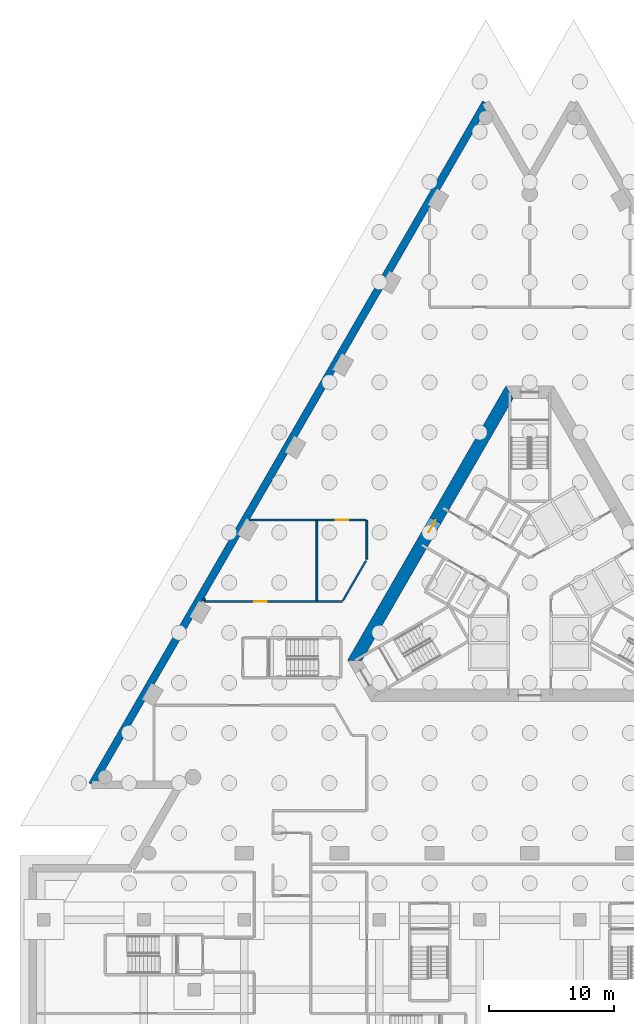
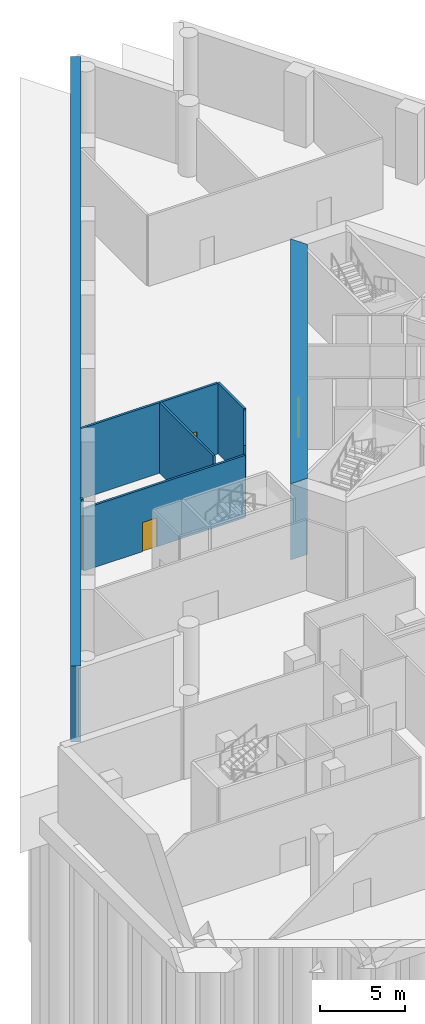
# One storey, part 6 of 20: 8 walls, 3 doors, 3 openings.
"""IFC4 building model written with IfcOpenShell, lengths in metres."""

from ifc_helpers import new_model, si_unit, direction, frame, frame_2d, origin, place, context, subcontext, project, spatial, polyline, rectangle, outline, extrude, material, layer, layer_set, type_object, element, fill, save


model = new_model("IFC4")

# Units and contexts
model_context = context("Model", 3, precision=1e-05, world=origin(), true_north=direction((0.0, 1.0)))
body_context = subcontext(model_context, "Body", "Model", "MODEL_VIEW")
ifc_project = project(units=[si_unit("LENGTHUNIT", "METRE"), si_unit("AREAUNIT", "SQUARE_METRE"), si_unit("VOLUMEUNIT", "CUBIC_METRE"), si_unit("PLANEANGLEUNIT", "RADIAN"), si_unit("MASSUNIT", "GRAM", prefix="KILO")], contexts=[model_context])

# Site, building, storey
site_placement = place(None, origin())
site = spatial("IfcSite", under=ifc_project, at=site_placement, CompositionType="ELEMENT")
building_placement = place(site_placement, origin())
building = spatial("IfcBuilding", under=site, at=building_placement, Name="Triada Interchange Tower", CompositionType="ELEMENT")
storey_placement = place(building_placement, frame((0.0, 0.0, -5.5)))
storey = spatial("IfcBuildingStorey", under=building, at=storey_placement, Name="B1", CompositionType="ELEMENT", Elevation=-5.5)

# Wall
ifc_material_1 = material(Name="Concrete C30/37", Category="concrete")
ifc_layer_1 = layer(ifc_material_1, 0.60009765625)
ifc_layer_set_1 = layer_set([ifc_layer_1], Name="Basement retaining wall 600")
wall_type_1 = type_object("IfcWallType", Name="Basement retaining wall 600", PredefinedType="SOLIDWALL", material=ifc_layer_set_1)
wall_1_placement = place(storey_placement, frame((-3.507080078125, 38.324951171875, -0.39990234375), z_axis=(0.0, 0.0, 1.0), x_axis=(-0.500003790369, -0.866023215403, 0.0)))
element("IfcWall", 1, at=wall_1_placement, inside=storey, type_object=wall_type_1, Name="Retaining wall 08", PredefinedType="SOLIDWALL", context=body_context, shape_type="SweptSolid", body=[
    extrude(rectangle(XDim=62.87353515625, YDim=0.60009765625, at=frame_2d((31.436767578125, 0.0))), origin(), (0.0, 0.0, 1.0), 5.5),
])

# Wall, opening, door
ifc_material_2 = material(Name="Concrete C70/85", Category="concrete")
ifc_layer_2 = layer(ifc_material_2, 1.0)
ifc_layer_set_2 = layer_set([ifc_layer_2], Name="Core wall P 1000")
wall_type_2 = type_object("IfcWallType", Name="Core wall P 1000", PredefinedType="SHEAR", material=ifc_layer_set_2)
wall_2_placement = place(storey_placement, frame((-1.616943359375, 15.199951171875, -0.39990234375), z_axis=(0.0, 0.0, 1.0), x_axis=(-0.499992141631, -0.866029940768, 0.0)))
wall_2 = element("IfcWall", 2, at=wall_2_placement, inside=storey, type_object=wall_type_2, Name="Core wall WP02 B1", PredefinedType="SHEAR", context=body_context, shape_type="SweptSolid", body=[
    extrude(outline(polyline([(-0.2890625, -0.4990234375), (1.65625, -0.4990234375), (3.601318359375, -0.499267578125), (5.546630859375, -0.499267578125), (7.491943359375, -0.499267578125), (9.43701171875, -0.49951171875), (11.38232421875, -0.49951171875), (13.32763671875, -0.49951171875), (15.27294921875, -0.49951171875), (17.218017578125, -0.499755859375), (19.163330078125, -0.499755859375), (21.108642578125, -0.499755859375), (23.0537109375, -0.5), (24.9990234375, -0.5), (24.422119140625, 0.5), (22.565673828125, 0.5), (20.709228515625, 0.5), (18.85302734375, 0.5), (16.99658203125, 0.5), (15.14013671875, 0.5), (13.28369140625, 0.5), (11.427490234375, 0.5), (9.571044921875, 0.5), (7.714599609375, 0.5), (5.858154296875, 0.5), (4.001953125, 0.5), (2.1455078125, 0.5), (0.2890625, 0.5), (-0.2890625, -0.4990234375)])), origin(), (0.0, 0.0, 1.0), 5.5),
])
opening_1_placement = place(wall_2_placement, frame((11.804931640625, 0.0, 0.39990234375)))
opening_1 = element("IfcOpeningElement", 3, at=opening_1_placement, cuts=wall_2, Name="Opening D1-48", PredefinedType="OPENING", context=body_context, shape_type="SweptSolid", body=[
    extrude(rectangle(XDim=1.10009765625, YDim=2.10009765625, at=frame_2d((0.550048828125, 1.050048828125))), frame((0.0, 0.510009765625, 0.0), z_axis=(0.0, -1.0, 0.0), x_axis=(1.0, 0.0, 0.0)), (0.0, 0.0, 1.0), 1.02001953125),
])
ifc_material_3 = material(Name="Steel S235 door leaf", Category="steel")
door_type_1 = type_object("IfcDoorType", Name="FIRE LOBBY DOOR 1100 EI2 90-C5S200", OperationType="NOTDEFINED", PredefinedType="DOOR", material=ifc_material_3)
door_1_placement = place(opening_1_placement, origin())
door_1 = element("IfcDoor", 4, at=door_1_placement, inside=storey, type_object=door_type_1, Name="Door D1-48 B1", OperationType="SINGLE_SWING_LEFT", OverallHeight=2.10009765625, OverallWidth=1.10009765625, PredefinedType="DOOR", context=body_context, shape_type="SweptSolid", body=[
    extrude(rectangle(XDim=1.10009765625, YDim=2.10009765625, at=frame_2d((0.550048828125, 1.050048828125))), frame((0.0, 0.02490234375, 0.0), z_axis=(0.0, -1.0, 0.0), x_axis=(1.0, 0.0, 0.0)), (0.0, 0.0, 1.0), 0.050048828125),
])
fill(opening_1, door_1)

# Walls
ifc_material_4 = material(Name="Gypsum board partition")
ifc_layer_3 = layer(ifc_material_4, 0.14990234375)
ifc_layer_set_3 = layer_set([ifc_layer_3], Name="PARTITION 150")
wall_type_3 = type_object("IfcWallType", Name="PARTITION 150", PredefinedType="PARTITIONING", material=ifc_layer_set_3)
wall_3_placement = place(storey_placement, frame((-26.0, -1.425048828125, 0.0), z_axis=(0.0, 0.0, 1.0), x_axis=(0.0, 1.0, 0.0)))
element("IfcWall", 5, at=wall_3_placement, inside=storey, type_object=wall_type_3, Name="Wall B1 70", PredefinedType="PARTITIONING", context=body_context, shape_type="SweptSolid", body=[
    extrude(rectangle(XDim=0.192138671875, YDim=0.14990234375, at=frame_2d((0.09619140625, 0.0))), origin(), (0.0, 0.0, 1.0), 5.10009765625),
])
ifc_layer_4 = layer(ifc_material_4, 0.14990234375)
ifc_layer_set_4 = layer_set([ifc_layer_4], Name="PARTITION 150 EI 90")
wall_type_4 = type_object("IfcWallType", Name="PARTITION 150 EI 90", PredefinedType="PARTITIONING", material=ifc_layer_set_4)
wall_4_placement = place(storey_placement, frame((-13.0, 1.883056640625, 0.0), z_axis=(0.0, 0.0, 1.0), x_axis=(0.0, 1.0, 0.0)))
element("IfcWall", 6, at=wall_4_placement, inside=storey, type_object=wall_type_4, Name="Wall B1 64", PredefinedType="PARTITIONING", context=body_context, shape_type="SweptSolid", body=[
    extrude(rectangle(XDim=3.116943359375, YDim=0.14990234375, at=frame_2d((1.55859375, 0.0))), origin(), (0.0, 0.0, 1.0), 5.10009765625),
])

# Wall, opening, door
wall_5_placement = place(storey_placement, frame((-26.0, -1.5, 0.0), z_axis=(0.0, 0.0, 1.0), x_axis=(1.0, 0.0, 0.0)))
wall_5 = element("IfcWall", 7, at=wall_5_placement, inside=storey, type_object=wall_type_4, Name="Wall B1 68", PredefinedType="PARTITIONING", context=body_context, shape_type="SweptSolid", body=[
    extrude(rectangle(XDim=11.047119140625, YDim=0.14990234375, at=frame_2d((5.5234375, 0.0))), origin(), (0.0, 0.0, 1.0), 4.5),
])
opening_2_placement = place(wall_5_placement, frame((4.0, 0.0, 0.0)))
opening_2 = element("IfcOpeningElement", 8, at=opening_2_placement, cuts=wall_5, Name="Opening D1-38", PredefinedType="OPENING", context=body_context, shape_type="SweptSolid", body=[
    extrude(rectangle(XDim=1.0, YDim=2.10009765625, at=frame_2d((0.5, 1.050048828125))), frame((0.0, 0.0849609375, 0.0), z_axis=(0.0, -1.0, 0.0), x_axis=(1.0, 0.0, 0.0)), (0.0, 0.0, 1.0), 0.169921875),
])
door_type_2 = type_object("IfcDoorType", Name="ROOM DOOR 1000 EI2 90-C5S200", OperationType="NOTDEFINED", PredefinedType="DOOR", material=ifc_material_3)
door_2_placement = place(opening_2_placement, origin())
door_2 = element("IfcDoor", 9, at=door_2_placement, inside=storey, type_object=door_type_2, Name="Door D1-38 B1", OperationType="SINGLE_SWING_LEFT", OverallHeight=2.10009765625, OverallWidth=1.0, PredefinedType="DOOR", context=body_context, shape_type="SweptSolid", body=[
    extrude(rectangle(XDim=1.0, YDim=2.10009765625, at=frame_2d((0.5, 1.050048828125))), frame((0.0, 0.02490234375, 0.0), z_axis=(0.0, -1.0, 0.0), x_axis=(1.0, 0.0, 0.0)), (0.0, 0.0, 1.0), 0.050048828125),
])
fill(opening_2, door_2)

wall_6_placement = place(storey_placement, frame((-22.40087890625, 5.0, 0.0), z_axis=(0.0, 0.0, 1.0), x_axis=(1.0, 0.0, 0.0)))
wall_6 = element("IfcWall", 10, at=wall_6_placement, inside=storey, type_object=wall_type_4, Name="Wall B1 71", PredefinedType="PARTITIONING", context=body_context, shape_type="SweptSolid", body=[
    extrude(rectangle(XDim=9.325927734375, YDim=0.14990234375, at=frame_2d((4.6630859375, 0.0))), origin(), (0.0, 0.0, 1.0), 5.10009765625),
])
opening_3_placement = place(wall_6_placement, frame((6.90087890625, 0.0, 0.0)))
opening_3 = element("IfcOpeningElement", 11, at=opening_3_placement, cuts=wall_6, Name="Opening D1-39", PredefinedType="OPENING", context=body_context, shape_type="SweptSolid", body=[
    extrude(rectangle(XDim=1.0, YDim=2.10009765625, at=frame_2d((0.5, 1.050048828125))), frame((0.0, 0.0849609375, 0.0), z_axis=(0.0, -1.0, 0.0), x_axis=(1.0, 0.0, 0.0)), (0.0, 0.0, 1.0), 0.169921875),
])
door_3_placement = place(opening_3_placement, origin())
door_3 = element("IfcDoor", 12, at=door_3_placement, inside=storey, type_object=door_type_2, Name="Door D1-39 B1", OperationType="SINGLE_SWING_LEFT", OverallHeight=2.10009765625, OverallWidth=1.0, PredefinedType="DOOR", context=body_context, shape_type="SweptSolid", body=[
    extrude(rectangle(XDim=1.0, YDim=2.10009765625, at=frame_2d((0.5, 1.050048828125))), frame((0.0, 0.02490234375, 0.0), z_axis=(0.0, -1.0, 0.0), x_axis=(1.0, 0.0, 0.0)), (0.0, 0.0, 1.0), 0.050048828125),
])
fill(opening_3, door_3)

# Walls
wall_7_placement = place(storey_placement, frame((-14.909912109375, -1.425048828125, 0.0), z_axis=(0.0, 0.0, 1.0), x_axis=(0.500031511731, 0.866007209713, 0.0)))
element("IfcWall", 13, at=wall_7_placement, inside=storey, type_object=wall_type_4, Name="Wall B1 74", PredefinedType="PARTITIONING", context=body_context, shape_type="SweptSolid", body=[
    extrude(rectangle(XDim=3.669677734375, YDim=0.14990234375, at=frame_2d((1.8349609375, 0.0))), origin(), (0.0, 0.0, 1.0), 5.10009765625),
])
wall_8_placement = place(storey_placement, frame((-17.0, -1.425048828125, 0.0), z_axis=(0.0, 0.0, 1.0), x_axis=(0.0, 1.0, 0.0)))
element("IfcWall", 14, at=wall_8_placement, inside=storey, type_object=wall_type_4, Name="Wall B1 75", PredefinedType="PARTITIONING", context=body_context, shape_type="SweptSolid", body=[
    extrude(rectangle(XDim=6.35009765625, YDim=0.14990234375, at=frame_2d((3.175048828125, 0.0))), origin(), (0.0, 0.0, 1.0), 5.10009765625),
])

save(model, "model.ifc")
